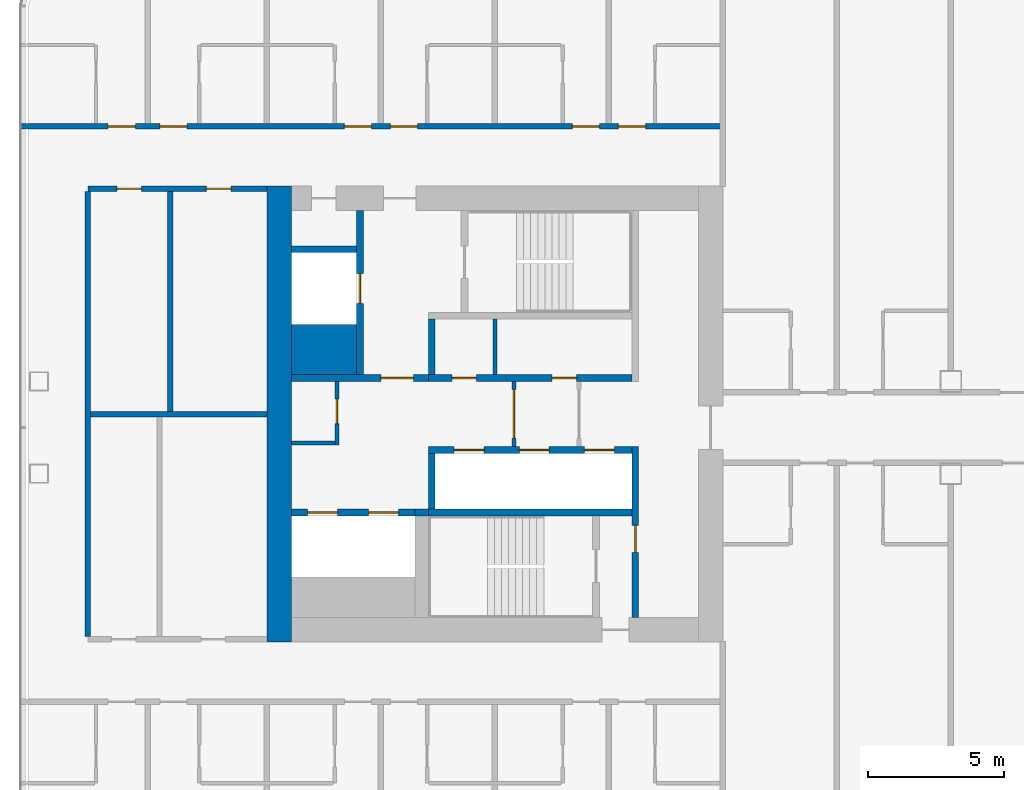
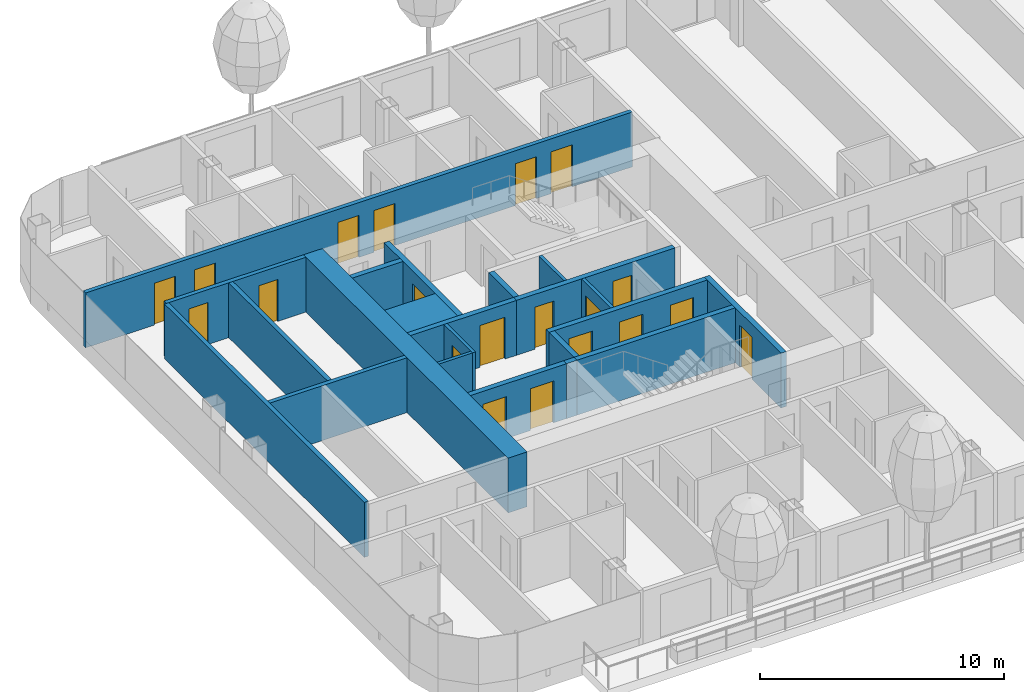
# One storey, part 13 of 32: 22 walls, 20 doors, 20 openings.
"""IFC4 building model written with IfcOpenShell, lengths in metres."""

from ifc_helpers import new_model, si_unit, direction, frame, frame_2d, origin, place, context, subcontext, project, spatial, rectangle, extrude, material, layer, layer_set, type_object, element, fill, save


model = new_model("IFC4")

# Units and contexts
model_context = context("Model", 3, precision=1e-05, world=origin(), true_north=direction((0.0, 1.0)))
body_context = subcontext(model_context, "Body", "Model", "MODEL_VIEW")
ifc_project = project(units=[si_unit("LENGTHUNIT", "METRE"), si_unit("AREAUNIT", "SQUARE_METRE"), si_unit("VOLUMEUNIT", "CUBIC_METRE"), si_unit("PLANEANGLEUNIT", "RADIAN"), si_unit("MASSUNIT", "GRAM", prefix="KILO")], contexts=[model_context])

# Site, building, storey
site_placement = place(None, origin())
site = spatial("IfcSite", under=ifc_project, at=site_placement, CompositionType="ELEMENT")
building_placement = place(site_placement, origin())
building = spatial("IfcBuilding", under=site, at=building_placement, Name="Hakoniwa Tower and Hamabe Station Hall", CompositionType="ELEMENT")
storey_placement = place(building_placement, frame((0.0, 0.0, 150.199951171875)))
storey = spatial("IfcBuildingStorey", under=building, at=storey_placement, Name="L42", CompositionType="ELEMENT", Elevation=150.199951171875)

# Wall, opening, door
ifc_material_1 = material(Name="Gypsum board partition")
ifc_layer_1 = layer(ifc_material_1, 0.14990234375)
ifc_layer_set_1 = layer_set([ifc_layer_1], Name="CORE PARTITION 150 EI 60")
wall_type_1 = type_object("IfcWallType", Name="CORE PARTITION 150 EI 60", PredefinedType="PARTITIONING", material=ifc_layer_set_1)
wall_1_placement = place(storey_placement, frame((-24.5, -1.199951171875, 0.0), z_axis=(0.0, 0.0, 1.0), x_axis=(0.0, 1.0, 0.0)))
wall_1 = element("IfcWall", 1, at=wall_1_placement, inside=storey, type_object=wall_type_1, Name="Core partition PL1 west", PredefinedType="PARTITIONING", context=body_context, shape_type="SweptSolid", body=[
    extrude(rectangle(XDim=2.39990234375, YDim=0.14990234375, at=frame_2d((1.199951171875, 0.0))), origin(), (0.0, 0.0, 1.0), 2.75),
])
opening_1_placement = place(wall_1_placement, frame((0.300048828125, 0.0, 0.0)))
opening_1 = element("IfcOpeningElement", 2, at=opening_1_placement, cuts=wall_1, Name="Opening CD-W-LP1-18", PredefinedType="OPENING", context=body_context, shape_type="SweptSolid", body=[
    extrude(rectangle(XDim=1.800048828125, YDim=2.10009765625, at=frame_2d((0.89990234375, 1.050048828125))), frame((0.0, 0.0849609375, 0.0), z_axis=(0.0, -1.0, 0.0), x_axis=(1.0, 0.0, 0.0)), (0.0, 0.0, 1.0), 0.169921875),
])
ifc_material_2 = material(Name="Steel fire door", Category="steel")
door_type_1 = type_object("IfcDoorType", Name="CORE DOOR 1800 FD60", OperationType="DOUBLE_DOOR_SINGLE_SWING", PredefinedType="DOOR", material=ifc_material_2)
door_1_placement = place(opening_1_placement, origin())
door_1 = element("IfcDoor", 3, at=door_1_placement, inside=storey, type_object=door_type_1, Name="Lift lobby partition door", OperationType="DOUBLE_DOOR_SINGLE_SWING", OverallHeight=2.10009765625, OverallWidth=1.800048828125, PredefinedType="DOOR", context=body_context, shape_type="SweptSolid", body=[
    extrude(rectangle(XDim=1.800048828125, YDim=2.10009765625, at=frame_2d((0.89990234375, 1.050048828125))), frame((0.0, 0.02490234375, 0.0), z_axis=(0.0, -1.0, 0.0), x_axis=(1.0, 0.0, 0.0)), (0.0, 0.0, 1.0), 0.050048828125),
])
fill(opening_1, door_1)

wall_2_placement = place(storey_placement, frame((-31.02490234375, -1.14990234375, 0.0), z_axis=(0.0, 0.0, 1.0), x_axis=(0.0, 1.0, 0.0)))
wall_2 = element("IfcWall", 4, at=wall_2_placement, inside=storey, type_object=wall_type_1, Name="Core partition PW0 west", PredefinedType="PARTITIONING", context=body_context, shape_type="SweptSolid", body=[
    extrude(rectangle(XDim=2.349853515625, YDim=0.14990234375, at=frame_2d((1.1748046875, 0.0))), origin(), (0.0, 0.0, 1.0), 2.75),
])
opening_2_placement = place(wall_2_placement, frame((0.800048828125, 0.0, 0.0)))
opening_2 = element("IfcOpeningElement", 5, at=opening_2_placement, cuts=wall_2, Name="Opening CD-W-RM1-9", PredefinedType="OPENING", context=body_context, shape_type="SweptSolid", body=[
    extrude(rectangle(XDim=0.89990234375, YDim=2.10009765625, at=frame_2d((0.449951171875, 1.050048828125))), frame((0.0, 0.0849609375, 0.0), z_axis=(0.0, -1.0, 0.0), x_axis=(1.0, 0.0, 0.0)), (0.0, 0.0, 1.0), 0.169921875),
])
ifc_material_3 = material(Name="Steel fire door", Category="steel")
door_type_2 = type_object("IfcDoorType", Name="CORE DOOR 900 FD30", OperationType="NOTDEFINED", PredefinedType="DOOR", material=ifc_material_3)
door_2_placement = place(opening_2_placement, origin())
door_2 = element("IfcDoor", 6, at=door_2_placement, inside=storey, type_object=door_type_2, Name="Store room door", OperationType="SINGLE_SWING_LEFT", OverallHeight=2.10009765625, OverallWidth=0.89990234375, PredefinedType="DOOR", context=body_context, shape_type="SweptSolid", body=[
    extrude(rectangle(XDim=0.89990234375, YDim=2.10009765625, at=frame_2d((0.449951171875, 1.050048828125))), frame((0.0, 0.02490234375, 0.0), z_axis=(0.0, -1.0, 0.0), x_axis=(1.0, 0.0, 0.0)), (0.0, 0.0, 1.0), 0.050048828125),
])
fill(opening_2, door_2)

# Walls
wall_3_placement = place(storey_placement, frame((-32.699951171875, -1.074951171875, 0.0), z_axis=(0.0, 0.0, 1.0), x_axis=(1.0, 0.0, 0.0)))
element("IfcWall", 7, at=wall_3_placement, inside=storey, type_object=wall_type_1, Name="Core partition PS west", PredefinedType="PARTITIONING", context=body_context, shape_type="SweptSolid", body=[
    extrude(rectangle(XDim=1.599853515625, YDim=0.14990234375, at=frame_2d((0.7998046875, 0.0))), origin(), (0.0, 0.0, 1.0), 2.75),
])
wall_4_placement = place(storey_placement, frame((-25.199951171875, 1.449951171875, 0.0), z_axis=(0.0, 0.0, 1.0), x_axis=(0.0, 1.0, 0.0)))
element("IfcWall", 8, at=wall_4_placement, inside=storey, type_object=wall_type_1, Name="Core partition PFLR0 west", PredefinedType="PARTITIONING", context=body_context, shape_type="SweptSolid", body=[
    extrude(rectangle(XDim=2.050048828125, YDim=0.14990234375, at=frame_2d((1.02490234375, 0.0))), origin(), (0.0, 0.0, 1.0), 2.75),
])
ifc_material_4 = material(Name="Concrete C66", Category="concrete")
ifc_layer_2 = layer(ifc_material_4, 0.89990234375)
ifc_layer_set_2 = layer_set([ifc_layer_2], Name="CORE WALL 900 C66")
wall_type_2 = type_object("IfcWallType", Name="CORE WALL 900 C66", PredefinedType="SHEAR", material=ifc_layer_set_2)
wall_5_placement = place(storey_placement, frame((-33.14990234375, -8.39990234375, 0.0), z_axis=(0.0, 0.0, 1.0), x_axis=(0.0, 1.0, 0.0)))
element("IfcWall", 9, at=wall_5_placement, inside=storey, type_object=wall_type_2, Name="Core wall OUTER west", PredefinedType="SHEAR", context=body_context, shape_type="SweptSolid", body=[
    extrude(rectangle(XDim=16.7998046875, YDim=0.89990234375, at=frame_2d((8.39990234375, 0.0))), origin(), (0.0, 0.0, 1.0), 2.75),
])
ifc_material_5 = material(Name="Concrete C66", Category="concrete")
ifc_layer_3 = layer(ifc_material_5, 1.85009765625)
ifc_layer_set_3 = layer_set([ifc_layer_3], Name="CORE WEB WALL 1850 C66")
wall_type_3 = type_object("IfcWallType", Name="CORE WEB WALL 1850 C66", PredefinedType="SHEAR", material=ifc_layer_set_3)
wall_6_placement = place(storey_placement, frame((-32.699951171875, 2.375, 0.0), z_axis=(0.0, 0.0, 1.0), x_axis=(1.0, 0.0, 0.0)))
element("IfcWall", 10, at=wall_6_placement, inside=storey, type_object=wall_type_3, Name="Core wall CA west", PredefinedType="SHEAR", context=body_context, shape_type="SweptSolid", body=[
    extrude(rectangle(XDim=2.39990234375, YDim=1.85009765625, at=frame_2d((1.199951171875, 0.0))), origin(), (0.0, 0.0, 1.0), 2.75),
])

# Wall, opening, door
ifc_material_6 = material(Name="Concrete C66", Category="concrete")
ifc_layer_4 = layer(ifc_material_6, 0.25)
ifc_layer_set_4 = layer_set([ifc_layer_4], Name="CORE WEB WALL 250 C66")
wall_type_4 = type_object("IfcWallType", Name="CORE WEB WALL 250 C66", PredefinedType="SHEAR", material=ifc_layer_set_4)
wall_7_placement = place(storey_placement, frame((-20.02490234375, -7.5, 0.0), z_axis=(0.0, 0.0, 1.0), x_axis=(0.0, 1.0, 0.0)))
wall_7 = element("IfcWall", 11, at=wall_7_placement, inside=storey, type_object=wall_type_4, Name="Core wall W1S west", PredefinedType="SHEAR", context=body_context, shape_type="SweptSolid", body=[
    extrude(rectangle(XDim=6.300048828125, YDim=0.25, at=frame_2d((3.14990234375, 0.0))), origin(), (0.0, 0.0, 1.0), 2.75),
])
opening_3_placement = place(wall_7_placement, frame((2.39990234375, 0.0, 0.0)))
opening_3 = element("IfcOpeningElement", 12, at=opening_3_placement, cuts=wall_7, Name="Opening CD-W-VS-10", PredefinedType="OPENING", context=body_context, shape_type="SweptSolid", body=[
    extrude(rectangle(XDim=1.0, YDim=2.10009765625, at=frame_2d((0.5, 1.050048828125))), frame((0.0, 0.135009765625, 0.0), z_axis=(0.0, -1.0, 0.0), x_axis=(1.0, 0.0, 0.0)), (0.0, 0.0, 1.0), 0.27001953125),
])
ifc_material_7 = material(Name="Steel fire door", Category="steel")
door_type_3 = type_object("IfcDoorType", Name="CORE DOOR 1000 FD60", OperationType="NOTDEFINED", PredefinedType="DOOR", material=ifc_material_7)
door_3_placement = place(opening_3_placement, origin())
door_3 = element("IfcDoor", 13, at=door_3_placement, inside=storey, type_object=door_type_3, Name="Stair vestibule door", OperationType="SINGLE_SWING_LEFT", OverallHeight=2.10009765625, OverallWidth=1.0, PredefinedType="DOOR", context=body_context, shape_type="SweptSolid", body=[
    extrude(rectangle(XDim=1.0, YDim=2.10009765625, at=frame_2d((0.5, 1.050048828125))), frame((0.0, 0.02490234375, 0.0), z_axis=(0.0, -1.0, 0.0), x_axis=(1.0, 0.0, 0.0)), (0.0, 0.0, 1.0), 0.050048828125),
])
fill(opening_3, door_3)

# Wall, openings, doors
wall_8_placement = place(storey_placement, frame((-27.64990234375, 1.324951171875, 0.0), z_axis=(0.0, 0.0, 1.0), x_axis=(1.0, 0.0, 0.0)))
wall_8 = element("IfcWall", 14, at=wall_8_placement, inside=storey, type_object=wall_type_4, Name="Core wall NF west", PredefinedType="SHEAR", context=body_context, shape_type="SweptSolid", body=[
    extrude(rectangle(XDim=7.5, YDim=0.25, at=frame_2d((3.75, 0.0))), origin(), (0.0, 0.0, 1.0), 2.75),
])
opening_4_placement = place(wall_8_placement, frame((4.5625, 0.0, 0.0)))
opening_4 = element("IfcOpeningElement", 15, at=opening_4_placement, cuts=wall_8, Name="Opening CD-W-FRLR0-9", PredefinedType="OPENING", context=body_context, shape_type="SweptSolid", body=[
    extrude(rectangle(XDim=0.89990234375, YDim=2.10009765625, at=frame_2d((0.449951171875, 1.050048828125))), frame((0.0, 0.135009765625, 0.0), z_axis=(0.0, -1.0, 0.0), x_axis=(1.0, 0.0, 0.0)), (0.0, 0.0, 1.0), 0.27001953125),
])
opening_5_placement = place(wall_8_placement, frame((0.862548828125, 0.0, 0.0)))
opening_5 = element("IfcOpeningElement", 16, at=opening_5_placement, cuts=wall_8, Name="Opening CD-W-FRLR1-9", PredefinedType="OPENING", context=body_context, shape_type="SweptSolid", body=[
    extrude(rectangle(XDim=0.89990234375, YDim=2.10009765625, at=frame_2d((0.449951171875, 1.050048828125))), frame((0.0, 0.135009765625, 0.0), z_axis=(0.0, -1.0, 0.0), x_axis=(1.0, 0.0, 0.0)), (0.0, 0.0, 1.0), 0.27001953125),
])
door_4_placement = place(opening_4_placement, origin())
door_4 = element("IfcDoor", 17, at=door_4_placement, inside=storey, type_object=door_type_2, Name="Store room door", OperationType="SINGLE_SWING_RIGHT", OverallHeight=2.10009765625, OverallWidth=0.89990234375, PredefinedType="DOOR", context=body_context, shape_type="SweptSolid", body=[
    extrude(rectangle(XDim=0.89990234375, YDim=2.10009765625, at=frame_2d((0.449951171875, 1.050048828125))), frame((0.0, 0.02490234375, 0.0), z_axis=(0.0, -1.0, 0.0), x_axis=(1.0, 0.0, 0.0)), (0.0, 0.0, 1.0), 0.050048828125),
])
fill(opening_4, door_4)
door_5_placement = place(opening_5_placement, origin())
door_5 = element("IfcDoor", 18, at=door_5_placement, inside=storey, type_object=door_type_2, Name="Store room door", OperationType="SINGLE_SWING_LEFT", OverallHeight=2.10009765625, OverallWidth=0.89990234375, PredefinedType="DOOR", context=body_context, shape_type="SweptSolid", body=[
    extrude(rectangle(XDim=0.89990234375, YDim=2.10009765625, at=frame_2d((0.449951171875, 1.050048828125))), frame((0.0, 0.02490234375, 0.0), z_axis=(0.0, -1.0, 0.0), x_axis=(1.0, 0.0, 0.0)), (0.0, 0.0, 1.0), 0.050048828125),
])
fill(opening_5, door_5)

# Wall
wall_9_placement = place(storey_placement, frame((-27.52490234375, 1.449951171875, 0.0), z_axis=(0.0, 0.0, 1.0), x_axis=(0.0, 1.0, 0.0)))
element("IfcWall", 19, at=wall_9_placement, inside=storey, type_object=wall_type_4, Name="Core wall NE west", PredefinedType="SHEAR", context=body_context, shape_type="SweptSolid", body=[
    extrude(rectangle(XDim=2.050048828125, YDim=0.25, at=frame_2d((1.02490234375, 0.0))), origin(), (0.0, 0.0, 1.0), 2.75),
])

# Wall, opening, door
wall_10_placement = place(storey_placement, frame((-32.699951171875, 1.324951171875, 0.0), z_axis=(0.0, 0.0, 1.0), x_axis=(1.0, 0.0, 0.0)))
wall_10 = element("IfcWall", 20, at=wall_10_placement, inside=storey, type_object=wall_type_4, Name="Core wall ELN west", PredefinedType="SHEAR", context=body_context, shape_type="SweptSolid", body=[
    extrude(rectangle(XDim=5.050048828125, YDim=0.25, at=frame_2d((2.52490234375, 0.0))), origin(), (0.0, 0.0, 1.0), 2.75),
])
opening_6_placement = place(wall_10_placement, frame((3.300048828125, 0.0, 0.0)))
opening_6 = element("IfcOpeningElement", 21, at=opening_6_placement, cuts=wall_10, Name="Opening CD-W-FL-12", PredefinedType="OPENING", context=body_context, shape_type="SweptSolid", body=[
    extrude(rectangle(XDim=1.199951171875, YDim=2.10009765625, at=frame_2d((0.60009765625, 1.050048828125))), frame((0.0, 0.135009765625, 0.0), z_axis=(0.0, -1.0, 0.0), x_axis=(1.0, 0.0, 0.0)), (0.0, 0.0, 1.0), 0.27001953125),
])
ifc_material_8 = material(Name="Steel fire door", Category="steel")
door_type_4 = type_object("IfcDoorType", Name="CORE DOOR 1200 FD60", OperationType="DOUBLE_DOOR_SINGLE_SWING", PredefinedType="DOOR", material=ifc_material_8)
door_6_placement = place(opening_6_placement, origin())
door_6 = element("IfcDoor", 22, at=door_6_placement, inside=storey, type_object=door_type_4, Name="Stair vestibule door to the fire-fighting lobby", OperationType="DOUBLE_DOOR_SINGLE_SWING", OverallHeight=2.10009765625, OverallWidth=1.199951171875, PredefinedType="DOOR", context=body_context, shape_type="SweptSolid", body=[
    extrude(rectangle(XDim=1.199951171875, YDim=2.10009765625, at=frame_2d((0.60009765625, 1.050048828125))), frame((0.0, 0.02490234375, 0.0), z_axis=(0.0, -1.0, 0.0), x_axis=(1.0, 0.0, 0.0)), (0.0, 0.0, 1.0), 0.050048828125),
])
fill(opening_6, door_6)

wall_11_placement = place(storey_placement, frame((-30.175048828125, 1.449951171875, 0.0), z_axis=(0.0, 0.0, 1.0), x_axis=(0.0, 1.0, 0.0)))
wall_11 = element("IfcWall", 23, at=wall_11_placement, inside=storey, type_object=wall_type_4, Name="Core wall FFF west", PredefinedType="SHEAR", context=body_context, shape_type="SweptSolid", body=[
    extrude(rectangle(XDim=6.050048828125, YDim=0.25, at=frame_2d((3.02490234375, 0.0))), origin(), (0.0, 0.0, 1.0), 2.75),
])
opening_7_placement = place(wall_11_placement, frame((2.625, 0.0, 0.0)))
opening_7 = element("IfcOpeningElement", 24, at=opening_7_placement, cuts=wall_11, Name="Opening LD-FF1", PredefinedType="OPENING", context=body_context, shape_type="SweptSolid", body=[
    extrude(rectangle(XDim=1.10009765625, YDim=2.10009765625, at=frame_2d((0.550048828125, 1.050048828125))), frame((0.0, 0.135009765625, 0.0), z_axis=(0.0, -1.0, 0.0), x_axis=(1.0, 0.0, 0.0)), (0.0, 0.0, 1.0), 0.27001953125),
])
ifc_material_9 = material(Name="Stainless steel SUS304", Category="steel")
door_type_5 = type_object("IfcDoorType", Name="LIFT LANDING DOOR 1100 FD60", OperationType="DOUBLE_DOOR_SLIDING", PredefinedType="DOOR", material=ifc_material_9)
door_7_placement = place(opening_7_placement, origin())
door_7 = element("IfcDoor", 25, at=door_7_placement, inside=storey, type_object=door_type_5, Name="Lift landing door FF1 L42", OperationType="DOUBLE_DOOR_SLIDING", OverallHeight=2.10009765625, OverallWidth=1.10009765625, PredefinedType="DOOR", context=body_context, shape_type="SweptSolid", body=[
    extrude(rectangle(XDim=1.10009765625, YDim=2.10009765625, at=frame_2d((0.550048828125, 1.050048828125))), frame((0.0, 0.02490234375, 0.0), z_axis=(0.0, -1.0, 0.0), x_axis=(1.0, 0.0, 0.0)), (0.0, 0.0, 1.0), 0.050048828125),
])
fill(opening_7, door_7)

# Wall
wall_12_placement = place(storey_placement, frame((-32.699951171875, 6.074951171875, 0.0), z_axis=(0.0, 0.0, 1.0), x_axis=(1.0, 0.0, 0.0)))
element("IfcWall", 26, at=wall_12_placement, inside=storey, type_object=wall_type_4, Name="Core wall C2 west", PredefinedType="SHEAR", context=body_context, shape_type="SweptSolid", body=[
    extrude(rectangle(XDim=2.39990234375, YDim=0.25, at=frame_2d((1.199951171875, 0.0))), origin(), (0.0, 0.0, 1.0), 2.75),
])

# Wall, openings, doors
wall_13_placement = place(storey_placement, frame((-27.64990234375, -1.324951171875, 0.0), z_axis=(0.0, 0.0, 1.0), x_axis=(1.0, 0.0, 0.0)))
wall_13 = element("IfcWall", 27, at=wall_13_placement, inside=storey, type_object=wall_type_4, Name="Core wall SF west", PredefinedType="SHEAR", context=body_context, shape_type="SweptSolid", body=[
    extrude(rectangle(XDim=7.5, YDim=0.25, at=frame_2d((3.75, 0.0))), origin(), (0.0, 0.0, 1.0), 2.75),
])
opening_8_placement = place(wall_13_placement, frame((5.75, 0.0, 0.0)))
opening_8 = element("IfcOpeningElement", 28, at=opening_8_placement, cuts=wall_13, Name="Opening LD-HR1", PredefinedType="OPENING", context=body_context, shape_type="SweptSolid", body=[
    extrude(rectangle(XDim=1.10009765625, YDim=2.10009765625, at=frame_2d((0.550048828125, 1.050048828125))), frame((0.0, 0.135009765625, 0.0), z_axis=(0.0, -1.0, 0.0), x_axis=(1.0, 0.0, 0.0)), (0.0, 0.0, 1.0), 0.27001953125),
])
opening_9_placement = place(wall_13_placement, frame((3.35009765625, 0.0, 0.0)))
opening_9 = element("IfcOpeningElement", 29, at=opening_9_placement, cuts=wall_13, Name="Opening LD-HR2", PredefinedType="OPENING", context=body_context, shape_type="SweptSolid", body=[
    extrude(rectangle(XDim=1.10009765625, YDim=2.10009765625, at=frame_2d((0.550048828125, 1.050048828125))), frame((0.0, 0.135009765625, 0.0), z_axis=(0.0, -1.0, 0.0), x_axis=(1.0, 0.0, 0.0)), (0.0, 0.0, 1.0), 0.27001953125),
])
opening_10_placement = place(wall_13_placement, frame((0.949951171875, 0.0, 0.0)))
opening_10 = element("IfcOpeningElement", 30, at=opening_10_placement, cuts=wall_13, Name="Opening LD-HR3", PredefinedType="OPENING", context=body_context, shape_type="SweptSolid", body=[
    extrude(rectangle(XDim=1.10009765625, YDim=2.10009765625, at=frame_2d((0.550048828125, 1.050048828125))), frame((0.0, 0.135009765625, 0.0), z_axis=(0.0, -1.0, 0.0), x_axis=(1.0, 0.0, 0.0)), (0.0, 0.0, 1.0), 0.27001953125),
])
door_8_placement = place(opening_8_placement, origin())
door_8 = element("IfcDoor", 31, at=door_8_placement, inside=storey, type_object=door_type_5, Name="Lift landing door HR1 L42", OperationType="DOUBLE_DOOR_SLIDING", OverallHeight=2.10009765625, OverallWidth=1.10009765625, PredefinedType="DOOR", context=body_context, shape_type="SweptSolid", body=[
    extrude(rectangle(XDim=1.10009765625, YDim=2.10009765625, at=frame_2d((0.550048828125, 1.050048828125))), frame((0.0, 0.02490234375, 0.0), z_axis=(0.0, -1.0, 0.0), x_axis=(1.0, 0.0, 0.0)), (0.0, 0.0, 1.0), 0.050048828125),
])
fill(opening_8, door_8)
door_9_placement = place(opening_9_placement, origin())
door_9 = element("IfcDoor", 32, at=door_9_placement, inside=storey, type_object=door_type_5, Name="Lift landing door HR2 L42", OperationType="DOUBLE_DOOR_SLIDING", OverallHeight=2.10009765625, OverallWidth=1.10009765625, PredefinedType="DOOR", context=body_context, shape_type="SweptSolid", body=[
    extrude(rectangle(XDim=1.10009765625, YDim=2.10009765625, at=frame_2d((0.550048828125, 1.050048828125))), frame((0.0, 0.02490234375, 0.0), z_axis=(0.0, -1.0, 0.0), x_axis=(1.0, 0.0, 0.0)), (0.0, 0.0, 1.0), 0.050048828125),
])
fill(opening_9, door_9)
door_10_placement = place(opening_10_placement, origin())
door_10 = element("IfcDoor", 33, at=door_10_placement, inside=storey, type_object=door_type_5, Name="Lift landing door HR3 L42", OperationType="DOUBLE_DOOR_SLIDING", OverallHeight=2.10009765625, OverallWidth=1.10009765625, PredefinedType="DOOR", context=body_context, shape_type="SweptSolid", body=[
    extrude(rectangle(XDim=1.10009765625, YDim=2.10009765625, at=frame_2d((0.550048828125, 1.050048828125))), frame((0.0, 0.02490234375, 0.0), z_axis=(0.0, -1.0, 0.0), x_axis=(1.0, 0.0, 0.0)), (0.0, 0.0, 1.0), 0.050048828125),
])
fill(opening_10, door_10)

# Walls
wall_14_placement = place(storey_placement, frame((-27.52490234375, -3.5, 0.0), z_axis=(0.0, 0.0, 1.0), x_axis=(0.0, 1.0, 0.0)))
element("IfcWall", 34, at=wall_14_placement, inside=storey, type_object=wall_type_4, Name="Core wall SE west", PredefinedType="SHEAR", context=body_context, shape_type="SweptSolid", body=[
    extrude(rectangle(XDim=2.050048828125, YDim=0.25, at=frame_2d((1.02490234375, 0.0))), origin(), (0.0, 0.0, 1.0), 2.75),
])
wall_15_placement = place(storey_placement, frame((-27.64990234375, -3.625, 0.0), z_axis=(0.0, 0.0, 1.0), x_axis=(1.0, 0.0, 0.0)))
element("IfcWall", 35, at=wall_15_placement, inside=storey, type_object=wall_type_4, Name="Core wall SR west", PredefinedType="SHEAR", context=body_context, shape_type="SweptSolid", body=[
    extrude(rectangle(XDim=7.5, YDim=0.25, at=frame_2d((3.75, 0.0))), origin(), (0.0, 0.0, 1.0), 2.75),
])

# Wall, openings, doors
wall_16_placement = place(storey_placement, frame((-32.699951171875, -3.625, 0.0), z_axis=(0.0, 0.0, 1.0), x_axis=(1.0, 0.0, 0.0)))
wall_16 = element("IfcWall", 36, at=wall_16_placement, inside=storey, type_object=wall_type_4, Name="Core wall SEF west", PredefinedType="SHEAR", context=body_context, shape_type="SweptSolid", body=[
    extrude(rectangle(XDim=4.550048828125, YDim=0.25, at=frame_2d((2.27490234375, 0.0))), origin(), (0.0, 0.0, 1.0), 2.75),
])
opening_11_placement = place(wall_16_placement, frame((2.85009765625, 0.0, 0.0)))
opening_11 = element("IfcOpeningElement", 37, at=opening_11_placement, cuts=wall_16, Name="Opening LD-SV1", PredefinedType="OPENING", context=body_context, shape_type="SweptSolid", body=[
    extrude(rectangle(XDim=1.10009765625, YDim=2.10009765625, at=frame_2d((0.550048828125, 1.050048828125))), frame((0.0, 0.135009765625, 0.0), z_axis=(0.0, -1.0, 0.0), x_axis=(1.0, 0.0, 0.0)), (0.0, 0.0, 1.0), 0.27001953125),
])
opening_12_placement = place(wall_16_placement, frame((0.60009765625, 0.0, 0.0)))
opening_12 = element("IfcOpeningElement", 38, at=opening_12_placement, cuts=wall_16, Name="Opening LD-SV2", PredefinedType="OPENING", context=body_context, shape_type="SweptSolid", body=[
    extrude(rectangle(XDim=1.10009765625, YDim=2.10009765625, at=frame_2d((0.550048828125, 1.050048828125))), frame((0.0, 0.135009765625, 0.0), z_axis=(0.0, -1.0, 0.0), x_axis=(1.0, 0.0, 0.0)), (0.0, 0.0, 1.0), 0.27001953125),
])
door_11_placement = place(opening_11_placement, origin())
door_11 = element("IfcDoor", 39, at=door_11_placement, inside=storey, type_object=door_type_5, Name="Lift landing door SV1 L42", OperationType="DOUBLE_DOOR_SLIDING", OverallHeight=2.10009765625, OverallWidth=1.10009765625, PredefinedType="DOOR", context=body_context, shape_type="SweptSolid", body=[
    extrude(rectangle(XDim=1.10009765625, YDim=2.10009765625, at=frame_2d((0.550048828125, 1.050048828125))), frame((0.0, 0.02490234375, 0.0), z_axis=(0.0, -1.0, 0.0), x_axis=(1.0, 0.0, 0.0)), (0.0, 0.0, 1.0), 0.050048828125),
])
fill(opening_11, door_11)
door_12_placement = place(opening_12_placement, origin())
door_12 = element("IfcDoor", 40, at=door_12_placement, inside=storey, type_object=door_type_5, Name="Lift landing door SV2 L42", OperationType="DOUBLE_DOOR_SLIDING", OverallHeight=2.10009765625, OverallWidth=1.10009765625, PredefinedType="DOOR", context=body_context, shape_type="SweptSolid", body=[
    extrude(rectangle(XDim=1.10009765625, YDim=2.10009765625, at=frame_2d((0.550048828125, 1.050048828125))), frame((0.0, 0.02490234375, 0.0), z_axis=(0.0, -1.0, 0.0), x_axis=(1.0, 0.0, 0.0)), (0.0, 0.0, 1.0), 0.050048828125),
])
fill(opening_12, door_12)

# Wall
wall_17_placement = place(storey_placement, frame((-28.14990234375, -3.625, 0.0), z_axis=(0.0, 0.0, 1.0), x_axis=(1.0, 0.0, 0.0)))
element("IfcWall", 41, at=wall_17_placement, inside=storey, type_object=wall_type_4, Name="Core wall SRK west", PredefinedType="SHEAR", context=body_context, shape_type="SweptSolid", body=[
    extrude(rectangle(XDim=0.5, YDim=0.25, at=frame_2d((0.25, 0.0))), origin(), (0.0, 0.0, 1.0), 2.75),
])

# Wall, openings, doors
ifc_material_10 = material(Name="Fire-rated gypsum board partition", Category="gypsum")
ifc_layer_5 = layer(ifc_material_10, 0.199951171875)
ifc_layer_set_5 = layer_set([ifc_layer_5], Name="Corridor Wall 200")
wall_type_5 = type_object("IfcWallType", Name="Corridor Wall 200", PredefinedType="PARTITIONING", material=ifc_layer_set_5)
wall_18_placement = place(storey_placement, frame((-40.199951171875, 8.300048828125, 0.0), z_axis=(0.0, 0.0, 1.0), x_axis=(1.0, 0.0, 0.0)))
wall_18 = element("IfcWall", 42, at=wall_18_placement, inside=storey, type_object=wall_type_5, Name="GW-L42-027", PredefinedType="PARTITIONING", context=body_context, shape_type="SweptSolid", body=[
    extrude(rectangle(XDim=6.599853515625, YDim=0.199951171875, at=frame_2d((3.2998046875, 0.0))), origin(), (0.0, 0.0, 1.0), 2.75),
])
opening_13_placement = place(wall_18_placement, frame((1.070068359375, 0.0, 0.0)))
opening_13 = element("IfcOpeningElement", 43, at=opening_13_placement, cuts=wall_18, Name="Opening GD-G3B1-31", PredefinedType="OPENING", context=body_context, shape_type="SweptSolid", body=[
    extrude(rectangle(XDim=0.89990234375, YDim=2.10009765625, at=frame_2d((0.449951171875, 1.050048828125))), frame((0.0, 0.10986328125, 0.0), z_axis=(0.0, -1.0, 0.0), x_axis=(1.0, 0.0, 0.0)), (0.0, 0.0, 1.0), 0.219970703125),
])
opening_14_placement = place(wall_18_placement, frame((4.3701171875, 0.0, 0.0)))
opening_14 = element("IfcOpeningElement", 44, at=opening_14_placement, cuts=wall_18, Name="Opening GD-G3B1-32", PredefinedType="OPENING", context=body_context, shape_type="SweptSolid", body=[
    extrude(rectangle(XDim=0.89990234375, YDim=2.10009765625, at=frame_2d((0.449951171875, 1.050048828125))), frame((0.0, 0.10986328125, 0.0), z_axis=(0.0, -1.0, 0.0), x_axis=(1.0, 0.0, 0.0)), (0.0, 0.0, 1.0), 0.219970703125),
])
ifc_material_11 = material(Name="Timber door leaf", Category="wood")
door_type_6 = type_object("IfcDoorType", Name="Service Door 900", OperationType="SINGLE_SWING_LEFT", PredefinedType="DOOR", material=ifc_material_11)
door_13_placement = place(opening_13_placement, origin())
door_13 = element("IfcDoor", 45, at=door_13_placement, inside=storey, type_object=door_type_6, Name="Door GD-G3B1-31", OperationType="SINGLE_SWING_LEFT", OverallHeight=2.10009765625, OverallWidth=0.89990234375, PredefinedType="DOOR", context=body_context, shape_type="SweptSolid", body=[
    extrude(rectangle(XDim=0.89990234375, YDim=2.10009765625, at=frame_2d((0.449951171875, 1.050048828125))), frame((0.0, 0.02490234375, 0.0), z_axis=(0.0, -1.0, 0.0), x_axis=(1.0, 0.0, 0.0)), (0.0, 0.0, 1.0), 0.050048828125),
])
fill(opening_13, door_13)
door_14_placement = place(opening_14_placement, origin())
door_14 = element("IfcDoor", 46, at=door_14_placement, inside=storey, type_object=door_type_6, Name="Door GD-G3B1-32", OperationType="SINGLE_SWING_LEFT", OverallHeight=2.10009765625, OverallWidth=0.89990234375, PredefinedType="DOOR", context=body_context, shape_type="SweptSolid", body=[
    extrude(rectangle(XDim=0.89990234375, YDim=2.10009765625, at=frame_2d((0.449951171875, 1.050048828125))), frame((0.0, 0.02490234375, 0.0), z_axis=(0.0, -1.0, 0.0), x_axis=(1.0, 0.0, 0.0)), (0.0, 0.0, 1.0), 0.050048828125),
])
fill(opening_14, door_14)

wall_19_placement = place(storey_placement, frame((-42.699951171875, 10.60009765625, 0.0), z_axis=(0.0, 0.0, 1.0), x_axis=(1.0, 0.0, 0.0)))
wall_19 = element("IfcWall", 47, at=wall_19_placement, inside=storey, type_object=wall_type_5, Name="GW-L42-029", PredefinedType="PARTITIONING", context=body_context, shape_type="SweptSolid", body=[
    extrude(rectangle(XDim=25.89990234375, YDim=0.199951171875, at=frame_2d((12.949951171875, 0.0))), origin(), (0.0, 0.0, 1.0), 2.75),
])
opening_15_placement = place(wall_19_placement, frame((3.25, 0.0, 0.0)))
opening_15 = element("IfcOpeningElement", 48, at=opening_15_placement, cuts=wall_19, Name="Opening GD-G3B1-35", PredefinedType="OPENING", context=body_context, shape_type="SweptSolid", body=[
    extrude(rectangle(XDim=1.0, YDim=2.10009765625, at=frame_2d((0.5, 1.050048828125))), frame((0.0, 0.10986328125, 0.0), z_axis=(0.0, -1.0, 0.0), x_axis=(1.0, 0.0, 0.0)), (0.0, 0.0, 1.0), 0.219970703125),
])
opening_16_placement = place(wall_19_placement, frame((5.14990234375, 0.0, 0.0)))
opening_16 = element("IfcOpeningElement", 49, at=opening_16_placement, cuts=wall_19, Name="Opening GD-G3B1-36", PredefinedType="OPENING", context=body_context, shape_type="SweptSolid", body=[
    extrude(rectangle(XDim=1.0, YDim=2.10009765625, at=frame_2d((0.5, 1.050048828125))), frame((0.0, 0.10986328125, 0.0), z_axis=(0.0, -1.0, 0.0), x_axis=(1.0, 0.0, 0.0)), (0.0, 0.0, 1.0), 0.219970703125),
])
opening_17_placement = place(wall_19_placement, frame((11.949951171875, 0.0, 0.0)))
opening_17 = element("IfcOpeningElement", 50, at=opening_17_placement, cuts=wall_19, Name="Opening GD-G3B1-37", PredefinedType="OPENING", context=body_context, shape_type="SweptSolid", body=[
    extrude(rectangle(XDim=1.0, YDim=2.10009765625, at=frame_2d((0.5, 1.050048828125))), frame((0.0, 0.10986328125, 0.0), z_axis=(0.0, -1.0, 0.0), x_axis=(1.0, 0.0, 0.0)), (0.0, 0.0, 1.0), 0.219970703125),
])
opening_18_placement = place(wall_19_placement, frame((13.64990234375, 0.0, 0.0)))
opening_18 = element("IfcOpeningElement", 51, at=opening_18_placement, cuts=wall_19, Name="Opening GD-G3B1-38", PredefinedType="OPENING", context=body_context, shape_type="SweptSolid", body=[
    extrude(rectangle(XDim=1.0, YDim=2.10009765625, at=frame_2d((0.5, 1.050048828125))), frame((0.0, 0.10986328125, 0.0), z_axis=(0.0, -1.0, 0.0), x_axis=(1.0, 0.0, 0.0)), (0.0, 0.0, 1.0), 0.219970703125),
])
opening_19_placement = place(wall_19_placement, frame((20.35009765625, 0.0, 0.0)))
opening_19 = element("IfcOpeningElement", 52, at=opening_19_placement, cuts=wall_19, Name="Opening GD-G3B1-39", PredefinedType="OPENING", context=body_context, shape_type="SweptSolid", body=[
    extrude(rectangle(XDim=1.0, YDim=2.10009765625, at=frame_2d((0.5, 1.050048828125))), frame((0.0, 0.10986328125, 0.0), z_axis=(0.0, -1.0, 0.0), x_axis=(1.0, 0.0, 0.0)), (0.0, 0.0, 1.0), 0.219970703125),
])
opening_20_placement = place(wall_19_placement, frame((22.050048828125, 0.0, 0.0)))
opening_20 = element("IfcOpeningElement", 53, at=opening_20_placement, cuts=wall_19, Name="Opening GD-G3B1-40", PredefinedType="OPENING", context=body_context, shape_type="SweptSolid", body=[
    extrude(rectangle(XDim=1.0, YDim=2.10009765625, at=frame_2d((0.5, 1.050048828125))), frame((0.0, 0.10986328125, 0.0), z_axis=(0.0, -1.0, 0.0), x_axis=(1.0, 0.0, 0.0)), (0.0, 0.0, 1.0), 0.219970703125),
])
ifc_material_12 = material(Name="Timber door leaf", Category="wood")
door_type_7 = type_object("IfcDoorType", Name="Guest Entrance Door 1000", OperationType="SINGLE_SWING_LEFT", PredefinedType="DOOR", material=ifc_material_12)
door_15_placement = place(opening_15_placement, origin())
door_15 = element("IfcDoor", 54, at=door_15_placement, inside=storey, type_object=door_type_7, Name="Door GD-G3B1-35", OperationType="SINGLE_SWING_RIGHT", OverallHeight=2.10009765625, OverallWidth=1.0, PredefinedType="DOOR", context=body_context, shape_type="SweptSolid", body=[
    extrude(rectangle(XDim=1.0, YDim=2.10009765625, at=frame_2d((0.5, 1.050048828125))), frame((0.0, 0.02490234375, 0.0), z_axis=(0.0, -1.0, 0.0), x_axis=(1.0, 0.0, 0.0)), (0.0, 0.0, 1.0), 0.050048828125),
])
fill(opening_15, door_15)
door_16_placement = place(opening_16_placement, origin())
door_16 = element("IfcDoor", 55, at=door_16_placement, inside=storey, type_object=door_type_7, Name="Door GD-G3B1-36", OperationType="SINGLE_SWING_LEFT", OverallHeight=2.10009765625, OverallWidth=1.0, PredefinedType="DOOR", context=body_context, shape_type="SweptSolid", body=[
    extrude(rectangle(XDim=1.0, YDim=2.10009765625, at=frame_2d((0.5, 1.050048828125))), frame((0.0, 0.02490234375, 0.0), z_axis=(0.0, -1.0, 0.0), x_axis=(1.0, 0.0, 0.0)), (0.0, 0.0, 1.0), 0.050048828125),
])
fill(opening_16, door_16)
door_17_placement = place(opening_17_placement, origin())
door_17 = element("IfcDoor", 56, at=door_17_placement, inside=storey, type_object=door_type_7, Name="Door GD-G3B1-37", OperationType="SINGLE_SWING_RIGHT", OverallHeight=2.10009765625, OverallWidth=1.0, PredefinedType="DOOR", context=body_context, shape_type="SweptSolid", body=[
    extrude(rectangle(XDim=1.0, YDim=2.10009765625, at=frame_2d((0.5, 1.050048828125))), frame((0.0, 0.02490234375, 0.0), z_axis=(0.0, -1.0, 0.0), x_axis=(1.0, 0.0, 0.0)), (0.0, 0.0, 1.0), 0.050048828125),
])
fill(opening_17, door_17)
door_18_placement = place(opening_18_placement, origin())
door_18 = element("IfcDoor", 57, at=door_18_placement, inside=storey, type_object=door_type_7, Name="Door GD-G3B1-38", OperationType="SINGLE_SWING_LEFT", OverallHeight=2.10009765625, OverallWidth=1.0, PredefinedType="DOOR", context=body_context, shape_type="SweptSolid", body=[
    extrude(rectangle(XDim=1.0, YDim=2.10009765625, at=frame_2d((0.5, 1.050048828125))), frame((0.0, 0.02490234375, 0.0), z_axis=(0.0, -1.0, 0.0), x_axis=(1.0, 0.0, 0.0)), (0.0, 0.0, 1.0), 0.050048828125),
])
fill(opening_18, door_18)
door_19_placement = place(opening_19_placement, origin())
door_19 = element("IfcDoor", 58, at=door_19_placement, inside=storey, type_object=door_type_7, Name="Door GD-G3B1-39", OperationType="SINGLE_SWING_RIGHT", OverallHeight=2.10009765625, OverallWidth=1.0, PredefinedType="DOOR", context=body_context, shape_type="SweptSolid", body=[
    extrude(rectangle(XDim=1.0, YDim=2.10009765625, at=frame_2d((0.5, 1.050048828125))), frame((0.0, 0.02490234375, 0.0), z_axis=(0.0, -1.0, 0.0), x_axis=(1.0, 0.0, 0.0)), (0.0, 0.0, 1.0), 0.050048828125),
])
fill(opening_19, door_19)
door_20_placement = place(opening_20_placement, origin())
door_20 = element("IfcDoor", 59, at=door_20_placement, inside=storey, type_object=door_type_7, Name="Door GD-G3B1-40", OperationType="SINGLE_SWING_RIGHT", OverallHeight=2.10009765625, OverallWidth=1.0, PredefinedType="DOOR", context=body_context, shape_type="SweptSolid", body=[
    extrude(rectangle(XDim=1.0, YDim=2.10009765625, at=frame_2d((0.5, 1.050048828125))), frame((0.0, 0.02490234375, 0.0), z_axis=(0.0, -1.0, 0.0), x_axis=(1.0, 0.0, 0.0)), (0.0, 0.0, 1.0), 0.050048828125),
])
fill(opening_20, door_20)

# Walls
ifc_material_13 = material(Name="Fire-rated gypsum board partition", Category="gypsum")
ifc_layer_6 = layer(ifc_material_13, 0.199951171875)
ifc_layer_set_6 = layer_set([ifc_layer_6], Name="Party Wall 200")
wall_type_6 = type_object("IfcWallType", Name="Party Wall 200", PredefinedType="PARTITIONING", material=ifc_layer_set_6)
wall_20_placement = place(storey_placement, frame((-40.10009765625, 0.0, 0.0), z_axis=(0.0, 0.0, 1.0), x_axis=(1.0, 0.0, 0.0)))
element("IfcWall", 60, at=wall_20_placement, inside=storey, type_object=wall_type_6, Name="GW-L42-019", PredefinedType="PARTITIONING", context=body_context, shape_type="SweptSolid", body=[
    extrude(rectangle(XDim=6.5, YDim=0.199951171875, at=frame_2d((3.25, 0.0))), origin(), (0.0, 0.0, 1.0), 2.75),
])
wall_21_placement = place(storey_placement, frame((-40.199951171875, -8.199951171875, 0.0), z_axis=(0.0, 0.0, 1.0), x_axis=(0.0, 1.0, 0.0)))
element("IfcWall", 61, at=wall_21_placement, inside=storey, type_object=wall_type_6, Name="GW-L42-035", PredefinedType="PARTITIONING", context=body_context, shape_type="SweptSolid", body=[
    extrude(rectangle(XDim=16.39990234375, YDim=0.199951171875, at=frame_2d((8.199951171875, 0.0))), origin(), (0.0, 0.0, 1.0), 2.75),
])
wall_22_placement = place(storey_placement, frame((-37.159912109375, 0.0, 0.0), z_axis=(0.0, 0.0, 1.0), x_axis=(0.0, 1.0, 0.0)))
element("IfcWall", 62, at=wall_22_placement, inside=storey, type_object=wall_type_6, Name="GW-L42-041", PredefinedType="PARTITIONING", context=body_context, shape_type="SweptSolid", body=[
    extrude(rectangle(XDim=8.199951171875, YDim=0.199951171875, at=frame_2d((4.10009765625, 0.0))), origin(), (0.0, 0.0, 1.0), 2.75),
])

save(model, "model.ifc")
